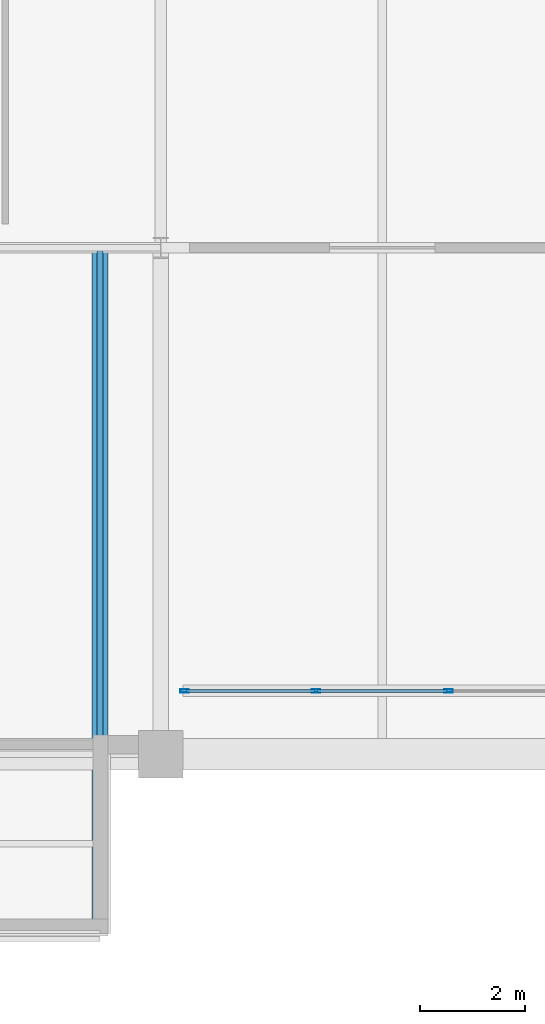
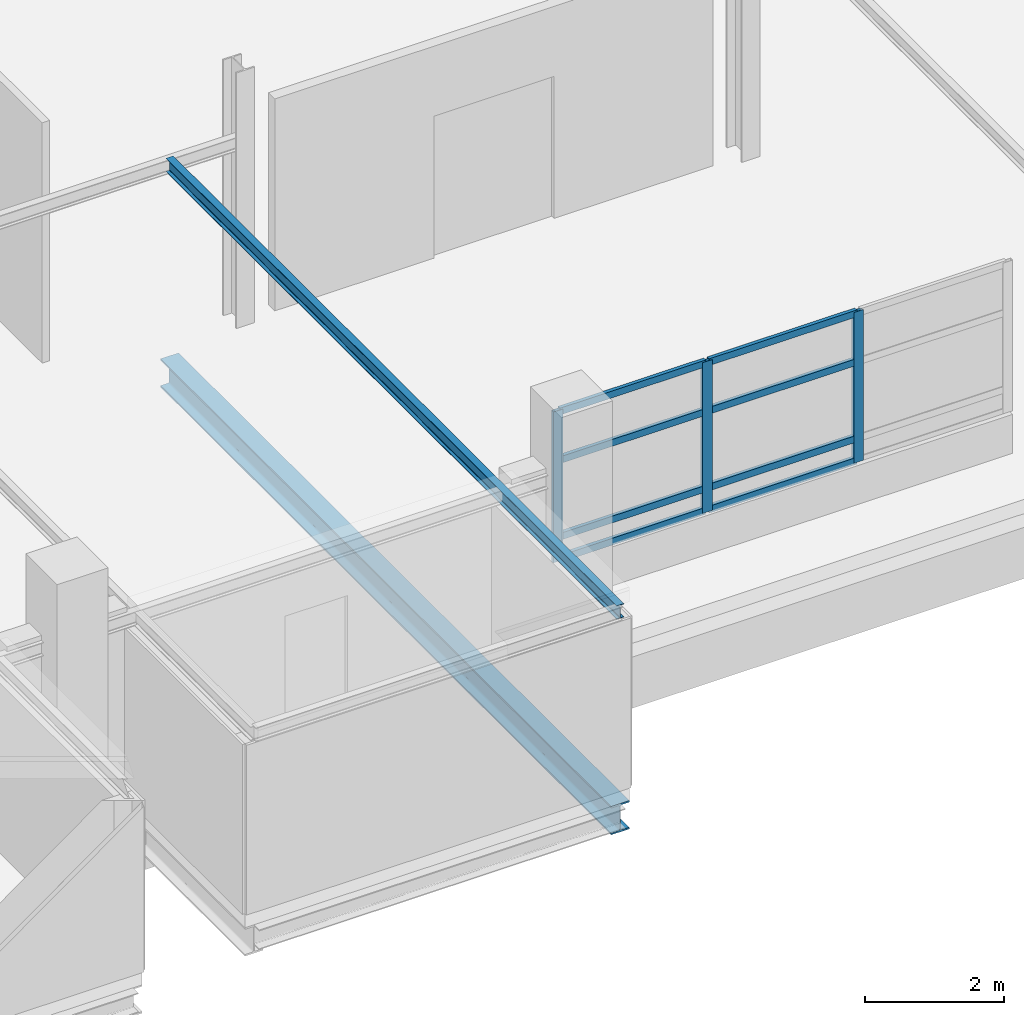
# One storey, part 14 of 103: 11 members, 2 beams, 1 element without a shape of its own.
"""IFC4 building model written with IfcOpenShell, lengths in metres."""

from ifc_helpers import new_model, si_unit, direction, frame, origin, origin_2d, place, context, subcontext, project, spatial, hollow_rectangle, i_section, extrude, material, material_profile, profile_set, type_object, element, aggregate, save


model = new_model("IFC4")

# Units and contexts
model_context = context("Model", 3, precision=1e-05, world=origin(), true_north=direction((0.0, 1.0)))
body_context = subcontext(model_context, "Body", "Model", "MODEL_VIEW")
ifc_project = project(units=[si_unit("LENGTHUNIT", "METRE"), si_unit("AREAUNIT", "SQUARE_METRE"), si_unit("VOLUMEUNIT", "CUBIC_METRE"), si_unit("PLANEANGLEUNIT", "RADIAN"), si_unit("MASSUNIT", "GRAM", prefix="KILO")], contexts=[model_context])

# Site, building, storey
site_placement = place(None, origin())
site = spatial("IfcSite", under=ifc_project, at=site_placement, CompositionType="ELEMENT")
building_placement = place(site_placement, origin())
building = spatial("IfcBuilding", under=site, at=building_placement, Name="Veltarok Museum of Natural Sciences", CompositionType="ELEMENT")
storey_placement = place(building_placement, frame((0.0, 0.0, 21.89990234375)))
storey = spatial("IfcBuildingStorey", under=building, at=storey_placement, Name="L04", CompositionType="ELEMENT", Elevation=21.89990234375)

# Beams
ifc_material_1 = material(Name="Steel S355J2", Category="steel")
ifc_material_profile_1 = material_profile(ifc_material_1, i_section(OverallWidth=0.300048828125, OverallDepth=0.5, WebThickness=0.014404296875, FlangeThickness=0.028076171875, FilletRadius=0.027099609375, at=origin_2d()), Name="HEB 500")
ifc_profile_set_1 = profile_set([ifc_material_profile_1], Name="Steel S355J2")
beam_type_1 = type_object("IfcBeamType", Name="Cabinet Box Cantilever Girder HEB 500", PredefinedType="BEAM", material=ifc_profile_set_1)
beam_1_placement = place(storey_placement, frame((55.64990234375, -3.39990234375, -0.5), z_axis=(0.0, 1.0, 0.0), x_axis=(-1.0, 0.0, 0.0)))
element("IfcBeam", 1, at=beam_1_placement, inside=storey, type_object=beam_type_1, Name="Cabinet Cantilever Girder DB-20-2", PredefinedType="BEAM", context=body_context, shape_type="SweptSolid", body=[
    extrude(i_section(OverallWidth=0.300048828125, OverallDepth=0.5, WebThickness=0.014404296875, FlangeThickness=0.028076171875, FilletRadius=0.027099609375, at=origin_2d()), origin(), (0.0, 0.0, 1.0), 13.0),
])
ifc_material_profile_2 = material_profile(ifc_material_1, i_section(OverallWidth=0.1201171875, OverallDepth=0.239990234375, WebThickness=0.006103515625, FlangeThickness=0.009765625, FilletRadius=0.014892578125, at=origin_2d()), Name="IPE 240")
ifc_profile_set_2 = profile_set([ifc_material_profile_2], Name="Steel S355J2")
beam_type_2 = type_object("IfcBeamType", Name="Cabinet Box Secondary Joist IPE 240", PredefinedType="JOIST", material=ifc_profile_set_2)
beam_2_placement = place(storey_placement, frame((55.64990234375, -3.39990234375, 3.130126953125), z_axis=(0.0, 1.0, 0.0), x_axis=(-1.0, 0.0, 0.0)))
element("IfcBeam", 2, at=beam_2_placement, inside=storey, type_object=beam_type_2, Name="Cabinet Roof Rafter DB-20-2", PredefinedType="JOIST", context=body_context, shape_type="SweptSolid", body=[
    extrude(i_section(OverallWidth=0.1201171875, OverallDepth=0.239990234375, WebThickness=0.006103515625, FlangeThickness=0.009765625, FilletRadius=0.014892578125, at=origin_2d()), origin(), (0.0, 0.0, 1.0), 13.0),
])

# Curtain wall, members
ifc_material_2 = material(Name="Low-iron triple insulated glass", Category="glass")
curtain_wall_type = type_object("IfcCurtainWallType", Name="Curtain Wall System CW-CAB-L04-B-755x266 (V1 Recessed L04 755x266cm)", PredefinedType="NOTDEFINED", material=ifc_material_2)
curtain_wall_placement = place(storey_placement, origin())
curtain_wall = element("IfcCurtainWall", 3, at=curtain_wall_placement, inside=storey, type_object=curtain_wall_type, Name="Curtain Wall CW-CAB-L04-B-755x266 CW-0007", PredefinedType="NOTDEFINED")
ifc_material_3 = material(Name="Thermally broken anodised aluminium", Category="aluminium")
ifc_material_profile_3 = material_profile(ifc_material_3, hollow_rectangle(XDim=0.06005859375, YDim=0.1201171875, WallThickness=0.0048828125, at=origin_2d()), Name="CW TRANSOM 60x120x5")
ifc_profile_set_3 = profile_set([ifc_material_profile_3], Name="Thermally broken anodised aluminium")
member_type_1 = type_object("IfcMemberType", Name="Curtain Wall Horizontal Transom 60x120x5", PredefinedType="USERDEFINED", material=ifc_profile_set_3)
member_1_placement = place(storey_placement, frame((57.284912109375, 1.199951171875, 0.710205078125), z_axis=(1.0, 0.0, 0.0), x_axis=(0.0, 1.0, 0.0)))
member_1 = element("IfcMember", 4, at=member_1_placement, type_object=member_type_1, Name="CW-CAB-L04-B-755x266 transom 1.1", ObjectType="TRANSOM", PredefinedType="USERDEFINED", context=body_context, shape_type="SweptSolid", body=[
    extrude(hollow_rectangle(XDim=0.06005859375, YDim=0.1201171875, WallThickness=0.0048828125, at=origin_2d()), origin(), (0.0, 0.0, 1.0), 2.4267578125),
])
member_2_placement = place(storey_placement, frame((57.284912109375, 1.199951171875, 1.10009765625), z_axis=(1.0, 0.0, 0.0), x_axis=(0.0, 1.0, 0.0)))
member_2 = element("IfcMember", 5, at=member_2_placement, type_object=member_type_1, Name="CW-CAB-L04-B-755x266 transom 1.2", ObjectType="TRANSOM", PredefinedType="USERDEFINED", context=body_context, shape_type="SweptSolid", body=[
    extrude(hollow_rectangle(XDim=0.06005859375, YDim=0.1201171875, WallThickness=0.0048828125, at=origin_2d()), origin(), (0.0, 0.0, 1.0), 2.4267578125),
])
member_3_placement = place(storey_placement, frame((57.284912109375, 1.199951171875, 2.4501953125), z_axis=(1.0, 0.0, 0.0), x_axis=(0.0, 1.0, 0.0)))
member_3 = element("IfcMember", 6, at=member_3_placement, type_object=member_type_1, Name="CW-CAB-L04-B-755x266 transom 1.3", ObjectType="TRANSOM", PredefinedType="USERDEFINED", context=body_context, shape_type="SweptSolid", body=[
    extrude(hollow_rectangle(XDim=0.06005859375, YDim=0.1201171875, WallThickness=0.0048828125, at=origin_2d()), origin(), (0.0, 0.0, 1.0), 2.4267578125),
])
member_4_placement = place(storey_placement, frame((57.284912109375, 1.199951171875, 3.30517578125), z_axis=(1.0, 0.0, 0.0), x_axis=(0.0, 1.0, 0.0)))
member_4 = element("IfcMember", 7, at=member_4_placement, type_object=member_type_1, Name="CW-CAB-L04-B-755x266 transom 1.4", ObjectType="TRANSOM", PredefinedType="USERDEFINED", context=body_context, shape_type="SweptSolid", body=[
    extrude(hollow_rectangle(XDim=0.06005859375, YDim=0.1201171875, WallThickness=0.0048828125, at=origin_2d()), origin(), (0.0, 0.0, 1.0), 2.4267578125),
])
member_5_placement = place(storey_placement, frame((59.771728515625, 1.199951171875, 0.710205078125), z_axis=(1.0, 0.0, 0.0), x_axis=(0.0, 1.0, 0.0)))
member_5 = element("IfcMember", 8, at=member_5_placement, type_object=member_type_1, Name="CW-CAB-L04-B-755x266 transom 2.1", ObjectType="TRANSOM", PredefinedType="USERDEFINED", context=body_context, shape_type="SweptSolid", body=[
    extrude(hollow_rectangle(XDim=0.06005859375, YDim=0.1201171875, WallThickness=0.0048828125, at=origin_2d()), origin(), (0.0, 0.0, 1.0), 2.45654296875),
])
member_6_placement = place(storey_placement, frame((59.771728515625, 1.199951171875, 1.10009765625), z_axis=(1.0, 0.0, 0.0), x_axis=(0.0, 1.0, 0.0)))
member_6 = element("IfcMember", 9, at=member_6_placement, type_object=member_type_1, Name="CW-CAB-L04-B-755x266 transom 2.2", ObjectType="TRANSOM", PredefinedType="USERDEFINED", context=body_context, shape_type="SweptSolid", body=[
    extrude(hollow_rectangle(XDim=0.06005859375, YDim=0.1201171875, WallThickness=0.0048828125, at=origin_2d()), origin(), (0.0, 0.0, 1.0), 2.45654296875),
])
member_7_placement = place(storey_placement, frame((59.771728515625, 1.199951171875, 2.4501953125), z_axis=(1.0, 0.0, 0.0), x_axis=(0.0, 1.0, 0.0)))
member_7 = element("IfcMember", 10, at=member_7_placement, type_object=member_type_1, Name="CW-CAB-L04-B-755x266 transom 2.3", ObjectType="TRANSOM", PredefinedType="USERDEFINED", context=body_context, shape_type="SweptSolid", body=[
    extrude(hollow_rectangle(XDim=0.06005859375, YDim=0.1201171875, WallThickness=0.0048828125, at=origin_2d()), origin(), (0.0, 0.0, 1.0), 2.45654296875),
])
member_8_placement = place(storey_placement, frame((59.771728515625, 1.199951171875, 3.30517578125), z_axis=(1.0, 0.0, 0.0), x_axis=(0.0, 1.0, 0.0)))
member_8 = element("IfcMember", 11, at=member_8_placement, type_object=member_type_1, Name="CW-CAB-L04-B-755x266 transom 2.4", ObjectType="TRANSOM", PredefinedType="USERDEFINED", context=body_context, shape_type="SweptSolid", body=[
    extrude(hollow_rectangle(XDim=0.06005859375, YDim=0.1201171875, WallThickness=0.0048828125, at=origin_2d()), origin(), (0.0, 0.0, 1.0), 2.45654296875),
])
ifc_material_profile_4 = material_profile(ifc_material_3, hollow_rectangle(XDim=0.06005859375, YDim=0.159912109375, WallThickness=0.0048828125, at=origin_2d()), Name="CW MULLION 60x160x5")
ifc_profile_set_4 = profile_set([ifc_material_profile_4], Name="Thermally broken anodised aluminium")
member_type_2 = type_object("IfcMemberType", Name="Curtain Wall Vertical Mullion 60x160x5", PredefinedType="MULLION", material=ifc_profile_set_4)
member_9_placement = place(storey_placement, frame((57.2548828125, 1.199951171875, 0.68017578125), z_axis=(0.0, 0.0, 1.0), x_axis=(0.0, 1.0, 0.0)))
member_9 = element("IfcMember", 12, at=member_9_placement, type_object=member_type_2, Name="CW-CAB-L04-B-755x266 mullion 1", PredefinedType="MULLION", context=body_context, shape_type="SweptSolid", body=[
    extrude(hollow_rectangle(XDim=0.06005859375, YDim=0.159912109375, WallThickness=0.0048828125, at=origin_2d()), origin(), (0.0, 0.0, 1.0), 2.655029296875),
])
member_10_placement = place(storey_placement, frame((59.74169921875, 1.199951171875, 0.68017578125), z_axis=(0.0, 0.0, 1.0), x_axis=(0.0, 1.0, 0.0)))
member_10 = element("IfcMember", 13, at=member_10_placement, type_object=member_type_2, Name="CW-CAB-L04-B-755x266 mullion 2", PredefinedType="MULLION", context=body_context, shape_type="SweptSolid", body=[
    extrude(hollow_rectangle(XDim=0.06005859375, YDim=0.159912109375, WallThickness=0.0048828125, at=origin_2d()), origin(), (0.0, 0.0, 1.0), 2.655029296875),
])
member_11_placement = place(storey_placement, frame((62.25830078125, 1.199951171875, 0.68017578125), z_axis=(0.0, 0.0, 1.0), x_axis=(0.0, 1.0, 0.0)))
member_11 = element("IfcMember", 14, at=member_11_placement, type_object=member_type_2, Name="CW-CAB-L04-B-755x266 mullion 3", PredefinedType="MULLION", context=body_context, shape_type="SweptSolid", body=[
    extrude(hollow_rectangle(XDim=0.06005859375, YDim=0.159912109375, WallThickness=0.0048828125, at=origin_2d()), origin(), (0.0, 0.0, 1.0), 2.655029296875),
])
aggregate(curtain_wall, [member_9, member_10, member_11, member_1, member_2, member_3, member_4, member_5, member_6, member_7, member_8])

save(model, "model.ifc")
